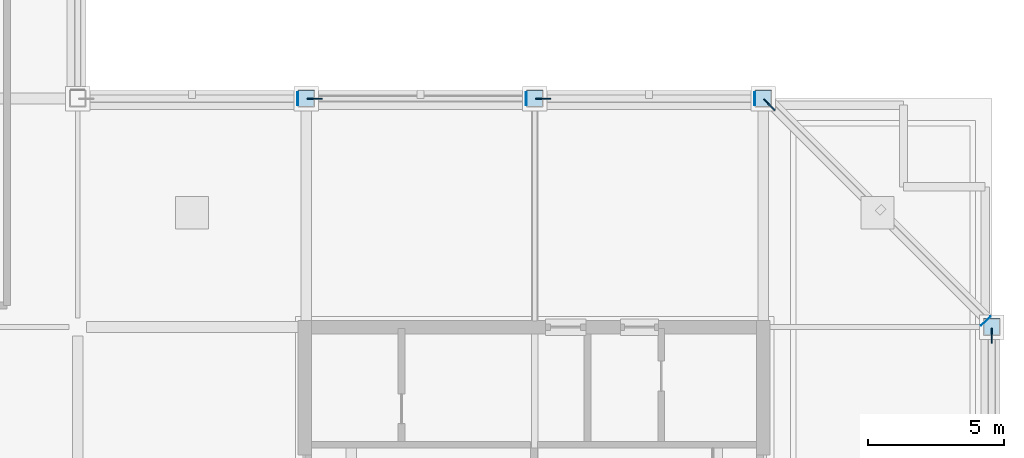
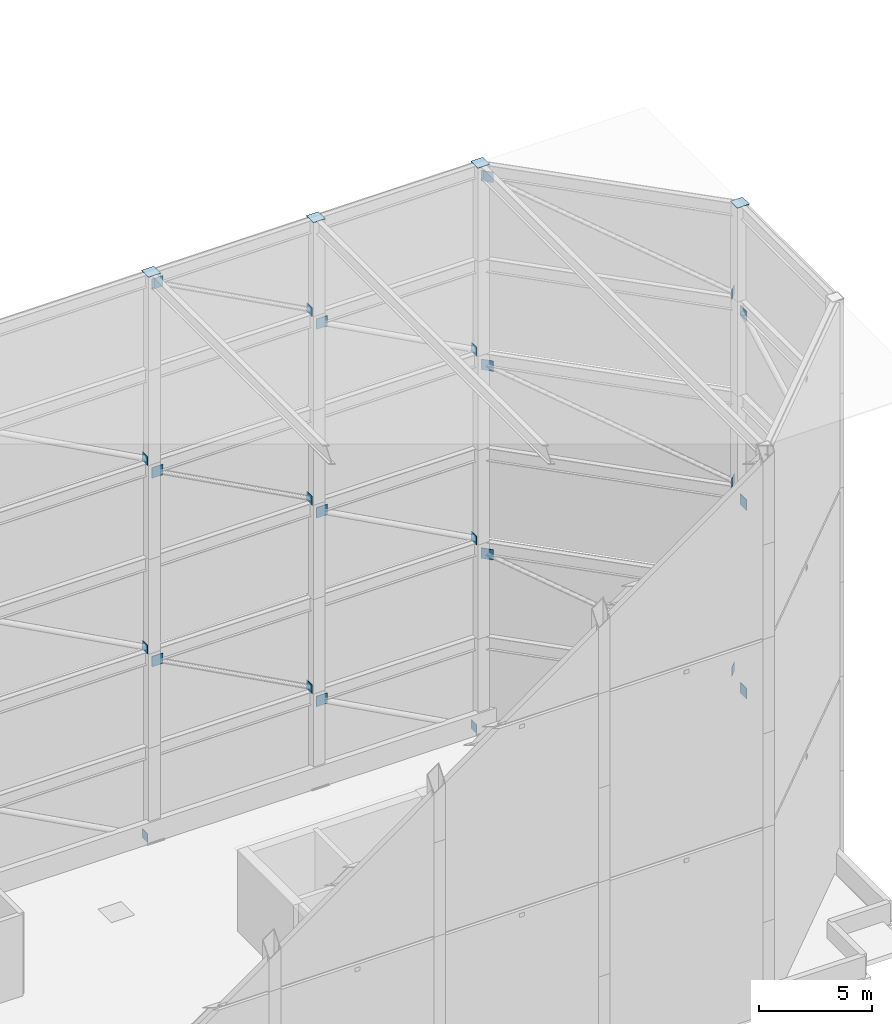
# One storey, part 11 of 17: 28 plates.
"""IFC4 building model written with IfcOpenShell, lengths in metres."""

from ifc_helpers import new_model, si_unit, direction, frame, origin, origin_2d, place, context, subcontext, project, spatial, rectangle, extrude, material, layer, layer_set, type_object, element, save


model = new_model("IFC4")

# Units and contexts
model_context = context("Model", 3, precision=1e-05, world=origin(), true_north=direction((0.0, 1.0)))
body_context = subcontext(model_context, "Body", "Model", "MODEL_VIEW")
ifc_project = project(units=[si_unit("LENGTHUNIT", "METRE"), si_unit("AREAUNIT", "SQUARE_METRE"), si_unit("VOLUMEUNIT", "CUBIC_METRE"), si_unit("PLANEANGLEUNIT", "RADIAN"), si_unit("MASSUNIT", "GRAM", prefix="KILO")], contexts=[model_context])

# Site, building, storey
site_placement = place(None, origin())
site = spatial("IfcSite", under=ifc_project, at=site_placement, CompositionType="ELEMENT")
building_placement = place(site_placement, origin())
building = spatial("IfcBuilding", under=site, at=building_placement, Name="Koriwani Terraces Tower", CompositionType="ELEMENT")
storey_placement = place(building_placement, frame((0.0, 0.0, 374.0)))
storey = spatial("IfcBuildingStorey", under=building, at=storey_placement, Name="RF", CompositionType="ELEMENT", Elevation=374.0)

# Plates
ifc_material = material(Name="Steel ASTM A572 Grade 50", Category="steel")
ifc_layer_1 = layer(ifc_material, 0.02490234375, Name="Steel ASTM A572 Grade 50")
ifc_layer_set_1 = layer_set([ifc_layer_1], Name="Steel ASTM A572 Grade 50")
plate_type_1 = type_object("IfcPlateType", Name="STEEL_CAP_PLATE_25", PredefinedType="USERDEFINED", material=ifc_layer_set_1)
for number, where, z_axis, x_axis, name in (
    (1, (67.199951171875, 25.199951171875, 30.51513671875), (0.0, 0.0, 1.0), (1.0, 0.0, 0.0), "Crown Frame Column Cap Plate EP-08"),
    (2, (58.800048828125, 33.60009765625, 30.51513671875), (0.0, 0.0, 1.0), (1.0, 0.0, 0.0), "Crown Frame Column Cap Plate EP-09"),
    (3, (50.39990234375, 33.60009765625, 30.51513671875), (0.0, 0.0, 1.0), (1.0, 0.0, 0.0), "Crown Frame Column Cap Plate EP-10"),
    (4, (42.0, 33.60009765625, 30.51513671875), (0.0, 0.0, 1.0), (1.0, 0.0, 0.0), "Crown Frame Column Cap Plate EP-11"),
):
    element("IfcPlate", number, at=place(storey_placement, frame(where, z_axis=z_axis, x_axis=x_axis)), inside=storey, type_object=plate_type_1, Name=name, ObjectType="FLANGE_PLATE", PredefinedType="USERDEFINED", context=body_context, shape_type="SweptSolid", body=[
        extrude(rectangle(XDim=0.6201171875, YDim=0.6201171875, at=origin_2d()), origin(), (0.0, 0.0, 1.0), 0.02490234375),
    ])
for number, where, z_axis, x_axis, name in (
    (5, (58.48486328125, 33.60009765625, -0.02099609375), (0.0, 0.0, 1.0), (-1.0, 0.0, 0.0), "Brace End Cap Plate CFBR-T1-S08"),
    (6, (41.684814453125, 33.60009765625, -0.02099609375), (0.0, 0.0, 1.0), (-1.0, 0.0, 0.0), "Brace End Cap Plate CFBR-T1-S10"),
    (7, (66.9755859375, 25.424560546875, 5.06396484375), (0.0, 0.0, 1.0), (-0.707106781187, 0.707106781187, 0.0), "Brace End Cap Plate CFBR-T2-S07"),
    (8, (50.084716796875, 33.60009765625, 5.06884765625), (0.0, 0.0, 1.0), (-1.0, 0.0, 0.0), "Brace End Cap Plate CFBR-T2-S09"),
    (9, (58.48486328125, 33.60009765625, 10.158935546875), (0.0, 0.0, 1.0), (-1.0, 0.0, 0.0), "Brace End Cap Plate CFBR-T3-S08"),
    (10, (41.684814453125, 33.60009765625, 10.158935546875), (0.0, 0.0, 1.0), (-1.0, 0.0, 0.0), "Brace End Cap Plate CFBR-T3-S10"),
    (11, (66.9755859375, 25.424560546875, 15.243896484375), (0.0, 0.0, 1.0), (-0.707106781187, 0.707106781187, 0.0), "Brace End Cap Plate CFBR-T4-S07"),
    (12, (50.084716796875, 33.60009765625, 15.2490234375), (0.0, 0.0, 1.0), (-1.0, 0.0, 0.0), "Brace End Cap Plate CFBR-T4-S09"),
    (13, (58.48486328125, 33.60009765625, 20.3388671875), (0.0, 0.0, 1.0), (-1.0, 0.0, 0.0), "Brace End Cap Plate CFBR-T5-S08"),
    (14, (41.684814453125, 33.60009765625, 20.3388671875), (0.0, 0.0, 1.0), (-1.0, 0.0, 0.0), "Brace End Cap Plate CFBR-T5-S10"),
    (15, (66.9755859375, 25.424560546875, 25.424072265625), (0.0, 0.0, 1.0), (-0.707106781187, 0.707106781187, 0.0), "Brace End Cap Plate CFBR-T6-S07"),
    (16, (50.084716796875, 33.60009765625, 25.428955078125), (0.0, 0.0, 1.0), (-1.0, 0.0, 0.0), "Brace End Cap Plate CFBR-T6-S09"),
):
    element("IfcPlate", number, at=place(storey_placement, frame(where, z_axis=z_axis, x_axis=x_axis)), inside=storey, type_object=plate_type_1, Name=name, ObjectType="FLANGE_PLATE", PredefinedType="USERDEFINED", context=body_context, shape_type="SweptSolid", body=[
        extrude(rectangle(XDim=0.02490234375, YDim=0.47998046875, at=origin_2d()), origin(), (0.0, 0.0, 1.0), 0.47998046875),
    ])
ifc_layer_2 = layer(ifc_material, 0.0400390625, Name="Steel ASTM A572 Grade 50")
ifc_layer_set_2 = layer_set([ifc_layer_2], Name="Steel ASTM A572 Grade 50")
plate_type_2 = type_object("IfcPlateType", Name="STEEL_GUSSET_PLATE_40", PredefinedType="USERDEFINED", material=ifc_layer_set_2)
for number, where, z_axis, x_axis, name in (
    (17, (67.199951171875, 24.884765625, 4.115966796875), (0.0, 0.0, 1.0), (0.0, 1.0, 0.0), "Brace Node Gusset Plate CFBR-T1-S06"),
    (18, (50.715087890625, 33.60009765625, 4.115966796875), (0.0, 0.0, 1.0), (-1.0, 0.0, 0.0), "Brace Node Gusset Plate CFBR-T1-S08"),
    (19, (59.0244140625, 33.37548828125, 9.2109375), (0.0, 0.0, 1.0), (-0.707106781187, 0.707106781187, 0.0), "Brace Node Gusset Plate CFBR-T2-S07"),
    (20, (42.315185546875, 33.60009765625, 9.2060546875), (0.0, 0.0, 1.0), (-1.0, 0.0, 0.0), "Brace Node Gusset Plate CFBR-T2-S09"),
    (21, (67.199951171875, 24.884765625, 14.296142578125), (0.0, 0.0, 1.0), (0.0, 1.0, 0.0), "Brace Node Gusset Plate CFBR-T3-S06"),
    (22, (50.715087890625, 33.60009765625, 14.296142578125), (0.0, 0.0, 1.0), (-1.0, 0.0, 0.0), "Brace Node Gusset Plate CFBR-T3-S08"),
    (23, (59.0244140625, 33.37548828125, 19.39306640625), (0.0, 0.0, 1.0), (-0.707106781187, 0.707106781187, 0.0), "Brace Node Gusset Plate CFBR-T4-S07"),
    (24, (42.315185546875, 33.60009765625, 19.38818359375), (0.0, 0.0, 1.0), (-1.0, 0.0, 0.0), "Brace Node Gusset Plate CFBR-T4-S09"),
    (25, (67.199951171875, 24.884765625, 24.47802734375), (0.0, 0.0, 1.0), (0.0, 1.0, 0.0), "Brace Node Gusset Plate CFBR-T5-S06"),
    (26, (50.715087890625, 33.60009765625, 24.47802734375), (0.0, 0.0, 1.0), (-1.0, 0.0, 0.0), "Brace Node Gusset Plate CFBR-T5-S08"),
    (27, (59.0244140625, 33.37548828125, 29.572998046875), (0.0, 0.0, 1.0), (-0.707106781187, 0.707106781187, 0.0), "Brace Node Gusset Plate CFBR-T6-S07"),
    (28, (42.315185546875, 33.60009765625, 29.568115234375), (0.0, 0.0, 1.0), (-1.0, 0.0, 0.0), "Brace Node Gusset Plate CFBR-T6-S09"),
):
    element("IfcPlate", number, at=place(storey_placement, frame(where, z_axis=z_axis, x_axis=x_axis)), inside=storey, type_object=plate_type_2, Name=name, ObjectType="GUSSET_PLATE", PredefinedType="USERDEFINED", context=body_context, shape_type="SweptSolid", body=[
        extrude(rectangle(XDim=0.56005859375, YDim=0.0400390625, at=origin_2d()), origin(), (0.0, 0.0, 1.0), 0.56005859375),
    ])

save(model, "model.ifc")
